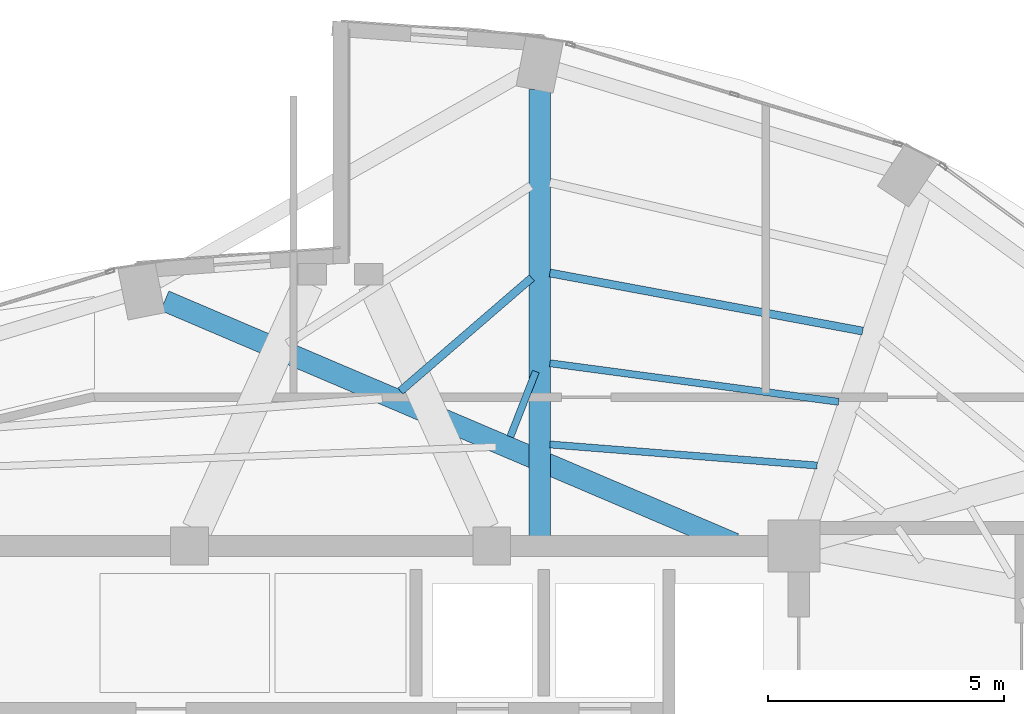
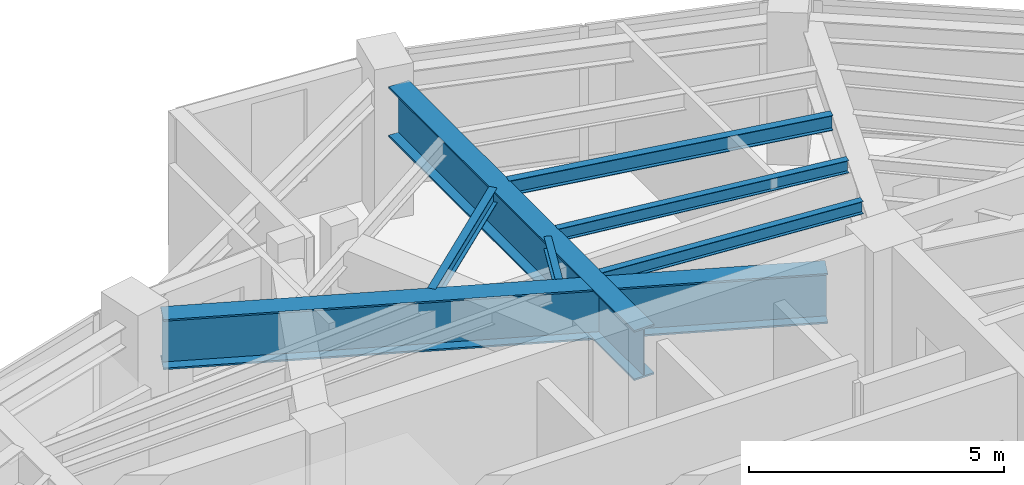
# One storey, part 12 of 23: 7 beams.
"""IFC4 building model written with IfcOpenShell, lengths in metres."""

from ifc_helpers import new_model, si_unit, direction, frame, origin, origin_2d, place, context, subcontext, project, spatial, i_section, extrude, material, material_profile, profile_set, type_object, element, save


model = new_model("IFC4")

# Units and contexts
model_context = context("Model", 3, precision=1e-05, world=origin(), true_north=direction((0.0, 1.0)))
body_context = subcontext(model_context, "Body", "Model", "MODEL_VIEW")
ifc_project = project(units=[si_unit("LENGTHUNIT", "METRE"), si_unit("AREAUNIT", "SQUARE_METRE"), si_unit("VOLUMEUNIT", "CUBIC_METRE"), si_unit("PLANEANGLEUNIT", "RADIAN"), si_unit("MASSUNIT", "GRAM", prefix="KILO")], contexts=[model_context])

# Site, building, storey
site_placement = place(None, origin())
site = spatial("IfcSite", under=ifc_project, at=site_placement, CompositionType="ELEMENT")
building_placement = place(site_placement, origin())
building = spatial("IfcBuilding", under=site, at=building_placement, Name="Lazwardi Medical Tower", CompositionType="ELEMENT")
storey_placement = place(building_placement, frame((0.0, 0.0, 265.968017578125)))
storey = spatial("IfcBuildingStorey", under=building, at=storey_placement, Name="L69", CompositionType="ELEMENT", Elevation=265.968017578125)

# Beams
ifc_material_1 = material(Name="Steel S355", Category="steel")
ifc_material_profile_1 = material_profile(ifc_material_1, i_section(OverallWidth=0.169921875, OverallDepth=0.360107421875, WebThickness=0.008056640625, FlangeThickness=0.0126953125, at=origin_2d()), Name="IPE 360")
ifc_profile_set_1 = profile_set([ifc_material_profile_1], Name="Steel S355")
beam_type_1 = type_object("IfcBeamType", Name="BM-SJ-02", PredefinedType="JOIST", material=ifc_profile_set_1)
beam_1_placement = place(storey_placement, frame((47.052490234375, 40.147216796875, 3.01806640625), z_axis=(-0.983171255078, 0.182686297212, 0.0), x_axis=(-0.182686297212, -0.983171255078, 0.0)))
element("IfcBeam", 1, at=beam_1_placement, inside=storey, type_object=beam_type_1, Name="Secondary joist SJ-02 R2 B07 L69", PredefinedType="JOIST", context=body_context, shape_type="SweptSolid", body=[
    extrude(i_section(OverallWidth=0.169921875, OverallDepth=0.360107421875, WebThickness=0.008056640625, FlangeThickness=0.0126953125, at=origin_2d()), origin(), (0.0, 0.0, 1.0), 6.7353515625),
])
beam_2_placement = place(storey_placement, frame((40.04736328125, 41.2744140625, 3.01806640625), z_axis=(-0.757201232674, -0.653181669398, 0.0), x_axis=(0.653181669398, -0.757201232674, 0.0)))
element("IfcBeam", 2, at=beam_2_placement, inside=storey, type_object=beam_type_1, Name="Secondary joist SJ-02 R2 B08 L69", PredefinedType="JOIST", context=body_context, shape_type="SweptSolid", body=[
    extrude(i_section(OverallWidth=0.169921875, OverallDepth=0.360107421875, WebThickness=0.008056640625, FlangeThickness=0.0126953125, at=origin_2d()), origin(), (0.0, 0.0, 1.0), 3.6708984375),
])
ifc_material_profile_2 = material_profile(ifc_material_1, i_section(OverallWidth=0.14990234375, OverallDepth=0.300048828125, WebThickness=0.007080078125, FlangeThickness=0.0107421875, at=origin_2d()), Name="IPE 300")
ifc_profile_set_2 = profile_set([ifc_material_profile_2], Name="Steel S355")
beam_type_2 = type_object("IfcBeamType", Name="BM-SJ-03", PredefinedType="JOIST", material=ifc_profile_set_2)
beam_3_placement = place(storey_placement, frame((46.54443359375, 38.650390625, 3.048095703125), z_axis=(-0.991207834288, 0.132314130939, 0.0), x_axis=(-0.132314130939, -0.991207834288, 0.0)))
element("IfcBeam", 3, at=beam_3_placement, inside=storey, type_object=beam_type_2, Name="Secondary joist SJ-03 R3 B07 L69", PredefinedType="JOIST", context=body_context, shape_type="SweptSolid", body=[
    extrude(i_section(OverallWidth=0.14990234375, OverallDepth=0.300048828125, WebThickness=0.007080078125, FlangeThickness=0.0107421875, at=origin_2d()), origin(), (0.0, 0.0, 1.0), 6.16650390625),
])
beam_4_placement = place(storey_placement, frame((40.1337890625, 39.29052734375, 3.048095703125), z_axis=(-0.364821603967, -0.931077438927, 0.0), x_axis=(0.931077438927, -0.364821603967, 0.0)))
element("IfcBeam", 4, at=beam_4_placement, inside=storey, type_object=beam_type_2, Name="Secondary joist SJ-03 R3 B08 L69", PredefinedType="JOIST", context=body_context, shape_type="SweptSolid", body=[
    extrude(i_section(OverallWidth=0.14990234375, OverallDepth=0.300048828125, WebThickness=0.007080078125, FlangeThickness=0.0107421875, at=origin_2d()), origin(), (0.0, 0.0, 1.0), 1.482177734375),
])
beam_5_placement = place(storey_placement, frame((46.087646484375, 37.301513671875, 3.048095703125), z_axis=(-0.996902945943, 0.078641696124, 0.0), x_axis=(-0.078641696124, -0.996902945943, 0.0)))
element("IfcBeam", 5, at=beam_5_placement, inside=storey, type_object=beam_type_2, Name="Secondary joist SJ-03 R4 B07 L69", PredefinedType="JOIST", context=body_context, shape_type="SweptSolid", body=[
    extrude(i_section(OverallWidth=0.14990234375, OverallDepth=0.300048828125, WebThickness=0.007080078125, FlangeThickness=0.0107421875, at=origin_2d()), origin(), (0.0, 0.0, 1.0), 5.671875),
])
ifc_material_2 = material(Name="Steel S460", Category="steel")
ifc_material_profile_3 = material_profile(ifc_material_2, i_section(OverallWidth=0.449951171875, OverallDepth=1.199951171875, WebThickness=0.02490234375, FlangeThickness=0.0400390625, at=origin_2d()), Name="PG 1200x450")
ifc_profile_set_3 = profile_set([ifc_material_profile_3], Name="Steel S460")
beam_type_3 = type_object("IfcBeamType", Name="BM-TG-02", PredefinedType="BEAM", material=ifc_profile_set_3)
beam_6_placement = place(storey_placement, frame((40.214111328125, 45.26318359375, 2.597900390625), z_axis=(0.0, -1.0, 0.0), x_axis=(1.0, 0.0, 0.0)))
element("IfcBeam", 6, at=beam_6_placement, inside=storey, type_object=beam_type_3, Name="Transfer girder TG-02 M08 L69", PredefinedType="BEAM", context=body_context, shape_type="SweptSolid", body=[
    extrude(i_section(OverallWidth=0.449951171875, OverallDepth=1.199951171875, WebThickness=0.02490234375, FlangeThickness=0.0400390625, at=origin_2d()), origin(), (0.0, 0.0, 1.0), 9.61328125),
])
beam_7_placement = place(storey_placement, frame((32.2783203125, 40.78857421875, 2.597900390625), z_axis=(0.919938023351, -0.392063812653, 0.0), x_axis=(0.392063812653, 0.919938023351, 0.0)))
element("IfcBeam", 7, at=beam_7_placement, inside=storey, type_object=beam_type_3, Name="Transfer girder TG-02 M09 L69", PredefinedType="BEAM", context=body_context, shape_type="SweptSolid", body=[
    extrude(i_section(OverallWidth=0.449951171875, OverallDepth=1.199951171875, WebThickness=0.02490234375, FlangeThickness=0.0400390625, at=origin_2d()), origin(), (0.0, 0.0, 1.0), 13.106689453125),
])

save(model, "model.ifc")
